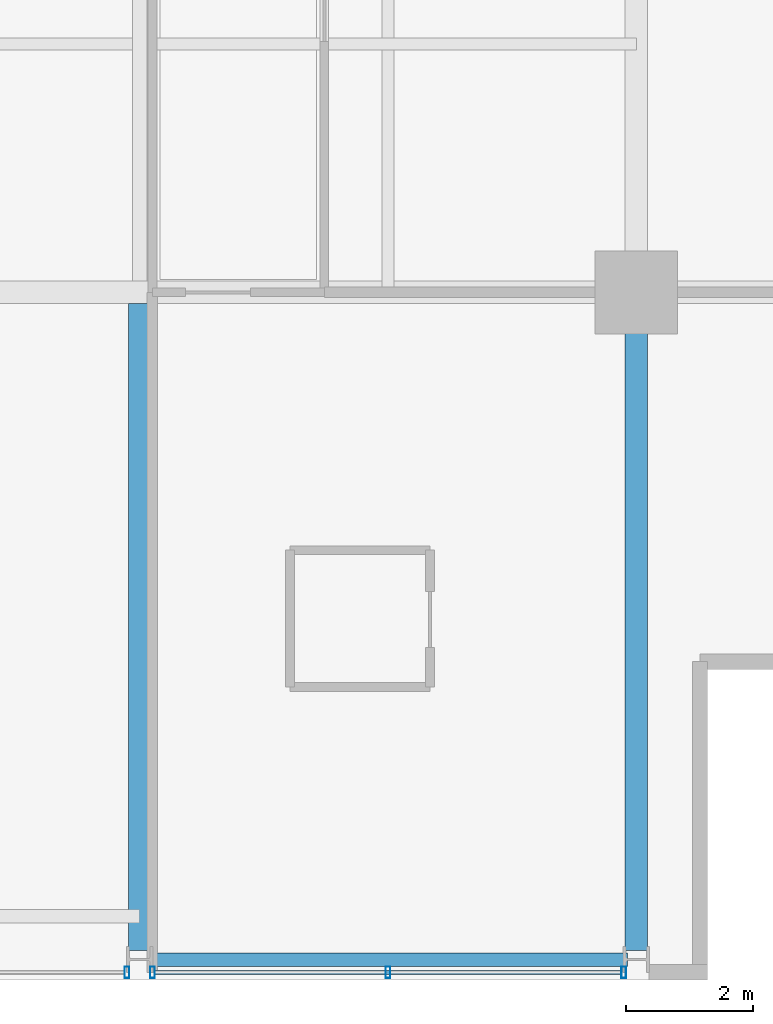
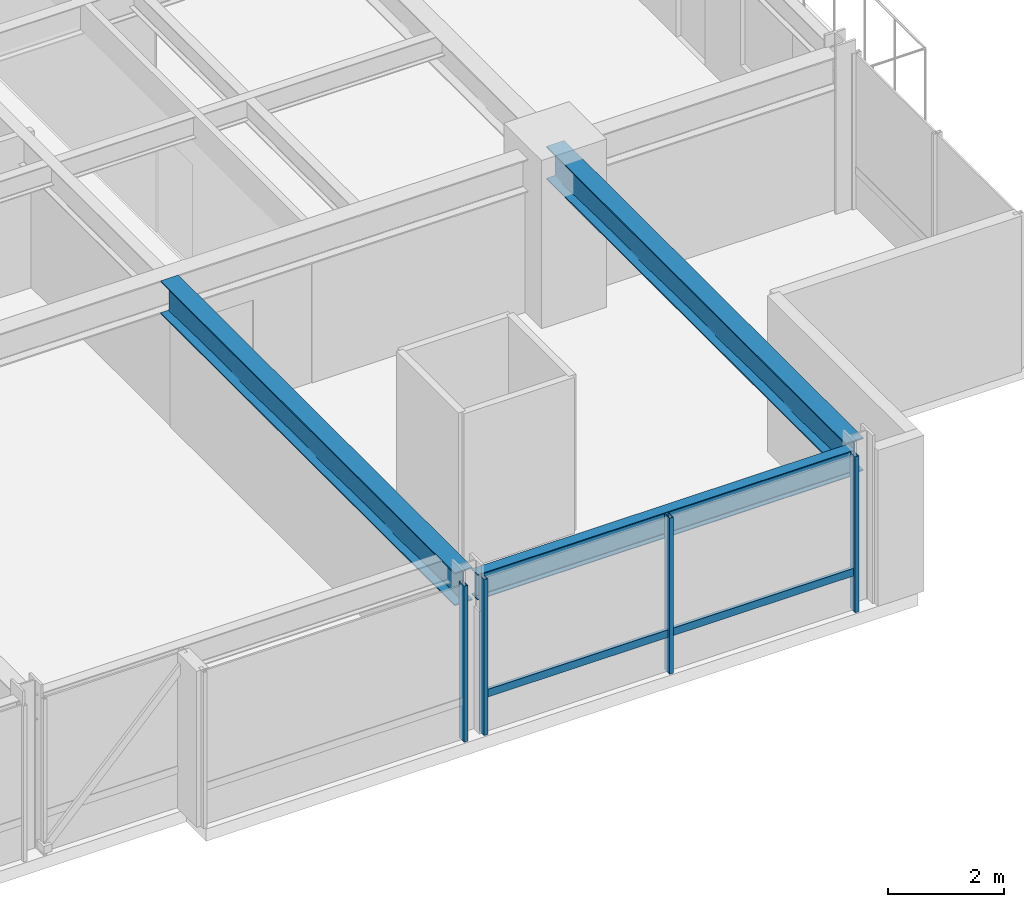
# One storey, part 11 of 33: 5 members, 3 beams, 2 elements without a shape of their own.
"""IFC4 building model written with IfcOpenShell, lengths in metres."""

from ifc_helpers import new_model, si_unit, direction, frame, origin, origin_2d, place, context, subcontext, project, spatial, hollow_rectangle, i_section, extrude, material, layer, layer_set, material_profile, profile_set, type_object, element, aggregate, save


model = new_model("IFC4")

# Units and contexts
model_context = context("Model", 3, precision=1e-05, world=origin(), true_north=direction((0.0, 1.0)))
body_context = subcontext(model_context, "Body", "Model", "MODEL_VIEW")
ifc_project = project(units=[si_unit("LENGTHUNIT", "METRE"), si_unit("AREAUNIT", "SQUARE_METRE"), si_unit("VOLUMEUNIT", "CUBIC_METRE"), si_unit("PLANEANGLEUNIT", "RADIAN"), si_unit("MASSUNIT", "GRAM", prefix="KILO")], contexts=[model_context])

# Site, building, storey
site_placement = place(None, origin())
site = spatial("IfcSite", under=ifc_project, at=site_placement, CompositionType="ELEMENT")
building_placement = place(site_placement, origin())
building = spatial("IfcBuilding", under=site, at=building_placement, Name="Drelvath Grand Hotel", CompositionType="ELEMENT")
storey_placement = place(building_placement, frame((0.0, 0.0, 168.14990234375)))
storey = spatial("IfcBuildingStorey", under=building, at=storey_placement, Name="L43", CompositionType="ELEMENT", Elevation=168.14990234375)

# Curtain wall, member
ifc_material_1 = material(Name="Brushed Pale-Silver Anodised Aluminium Frame", Category="aluminium")
ifc_layer = layer(ifc_material_1, 0.199951171875)
ifc_layer_set = layer_set([ifc_layer], Name="Brushed Pale-Silver Anodised Aluminium Frame")
curtain_wall_type = type_object("IfcCurtainWallType", Name="Stick Curtain Wall CW-04 Brushed Silver Upper-Mid", PredefinedType="NOTDEFINED", material=ifc_layer_set)
curtain_wall_1_placement = place(storey_placement, origin())
curtain_wall_1 = element("IfcCurtainWall", 1, at=curtain_wall_1_placement, inside=storey, type_object=curtain_wall_type, Name="L43 CW-04 Curtain Wall CW04-L43-SE2", PredefinedType="NOTDEFINED")
ifc_material_profile_1 = material_profile(ifc_material_1, hollow_rectangle(XDim=0.06494140625, YDim=0.159912109375, WallThickness=0.00390625, at=origin_2d()), Name="HSS160X65X4")
ifc_profile_set_1 = profile_set([ifc_material_profile_1], Name="Brushed Pale-Silver Anodised Aluminium Frame")
member_type_1 = type_object("IfcMemberType", Name="Curtain Wall Horizontal Transom CW-04 HSS160X65X4", PredefinedType="USERDEFINED", material=ifc_profile_set_1)
member_1_placement = place(storey_placement, frame((15.9599609375, 0.1201171875, 0.822509765625), z_axis=(-1.0, 0.0, 0.0), x_axis=(0.0, -1.0, 0.0)))
member_1 = element("IfcMember", 2, at=member_1_placement, type_object=member_type_1, Name="CW04-L43-SE2 Sill Transom", ObjectType="TRANSOM", PredefinedType="USERDEFINED", context=body_context, shape_type="SweptSolid", body=[
    extrude(hollow_rectangle(XDim=0.06494140625, YDim=0.159912109375, WallThickness=0.00390625, at=origin_2d()), origin(), (0.0, 0.0, 1.0), 7.31982421875),
])

curtain_wall_2_placement = place(storey_placement, origin())
curtain_wall_2 = element("IfcCurtainWall", 3, at=curtain_wall_2_placement, inside=storey, type_object=curtain_wall_type, Name="L43 CW-04 Curtain Wall CW04-L43-SE1", PredefinedType="NOTDEFINED")
ifc_material_profile_2 = material_profile(ifc_material_1, hollow_rectangle(XDim=0.074951171875, YDim=0.179931640625, WallThickness=0.0048828125, at=origin_2d()), Name="HSS180X75X5")
ifc_profile_set_2 = profile_set([ifc_material_profile_2], Name="Brushed Pale-Silver Anodised Aluminium Frame")
member_type_2 = type_object("IfcMemberType", Name="Curtain Wall Vertical Mullion CW-04 HSS180X75X5", PredefinedType="MULLION", material=ifc_profile_set_2)
member_2_placement = place(storey_placement, frame((8.199951171875, 0.1201171875, 0.0), z_axis=(0.0, 0.0, 1.0), x_axis=(1.0, 0.0, 0.0)))
member_2 = element("IfcMember", 4, at=member_2_placement, type_object=member_type_2, Name="CW04-L43-SE1 Mullion 1", PredefinedType="MULLION", context=body_context, shape_type="SweptSolid", body=[
    extrude(hollow_rectangle(XDim=0.074951171875, YDim=0.179931640625, WallThickness=0.0048828125, at=origin_2d()), origin(), (0.0, 0.0, 1.0), 3.2900390625),
])
aggregate(curtain_wall_2, [member_2])

# Member
member_3_placement = place(storey_placement, frame((16.0, 0.1201171875, 0.0), z_axis=(0.0, 0.0, 1.0), x_axis=(1.0, 0.0, 0.0)))
member_3 = element("IfcMember", 5, at=member_3_placement, type_object=member_type_2, Name="CW04-L43-SE2 Mullion 1", PredefinedType="MULLION", context=body_context, shape_type="SweptSolid", body=[
    extrude(hollow_rectangle(XDim=0.074951171875, YDim=0.179931640625, WallThickness=0.0048828125, at=origin_2d()), origin(), (0.0, 0.0, 1.0), 3.2900390625),
])

member_4_placement = place(storey_placement, frame((12.300048828125, 0.1201171875, 0.0), z_axis=(0.0, 0.0, 1.0), x_axis=(1.0, 0.0, 0.0)))
member_4 = element("IfcMember", 6, at=member_4_placement, type_object=member_type_2, Name="CW04-L43-SE2 Mullion 2", PredefinedType="MULLION", context=body_context, shape_type="SweptSolid", body=[
    extrude(hollow_rectangle(XDim=0.074951171875, YDim=0.179931640625, WallThickness=0.0048828125, at=origin_2d()), origin(), (0.0, 0.0, 1.0), 3.2900390625),
])

member_5_placement = place(storey_placement, frame((8.60009765625, 0.1201171875, 0.0), z_axis=(0.0, 0.0, 1.0), x_axis=(1.0, 0.0, 0.0)))
member_5 = element("IfcMember", 7, at=member_5_placement, type_object=member_type_2, Name="CW04-L43-SE2 Mullion 3", PredefinedType="MULLION", context=body_context, shape_type="SweptSolid", body=[
    extrude(hollow_rectangle(XDim=0.074951171875, YDim=0.179931640625, WallThickness=0.0048828125, at=origin_2d()), origin(), (0.0, 0.0, 1.0), 3.2900390625),
])

aggregate(curtain_wall_1, [member_3, member_4, member_5, member_1])

# Beams
ifc_material_2 = material(Name="Steel ASTM A992 Gr 50", Category="steel")
ifc_material_profile_3 = material_profile(ifc_material_2, i_section(OverallWidth=0.210205078125, OverallDepth=0.53662109375, WebThickness=0.010986328125, FlangeThickness=0.017333984375, FilletRadius=0.01806640625, at=origin_2d()), Name="W21X68")
ifc_profile_set_3 = profile_set([ifc_material_profile_3], Name="Steel ASTM A992 Gr 50")
beam_type_1 = type_object("IfcBeamType", Name="Perimeter Spandrel Beam W21X68", PredefinedType="SPANDREL", material=ifc_profile_set_3)
beam_1_placement = place(storey_placement, frame((8.5400390625, 0.320068359375, 3.021728515625), z_axis=(1.0, 0.0, 0.0), x_axis=(0.0, 1.0, 0.0)))
element("IfcBeam", 8, at=beam_1_placement, inside=storey, type_object=beam_type_1, Name="L43 Spandrel South E", PredefinedType="SPANDREL", context=body_context, shape_type="SweptSolid", body=[
    extrude(i_section(OverallWidth=0.210205078125, OverallDepth=0.53662109375, WebThickness=0.010986328125, FlangeThickness=0.017333984375, FilletRadius=0.01806640625, at=origin_2d()), origin(), (0.0, 0.0, 1.0), 7.52001953125),
])
ifc_material_profile_4 = material_profile(ifc_material_2, i_section(OverallWidth=0.354736328125, OverallDepth=0.695556640625, WebThickness=0.015380859375, FlangeThickness=0.025146484375, FilletRadius=0.02392578125, at=origin_2d()), Name="W27X146")
ifc_profile_set_4 = profile_set([ifc_material_profile_4], Name="Steel ASTM A992 Gr 50")
beam_type_2 = type_object("IfcBeamType", Name="Primary Floor Girder W27X146", PredefinedType="BEAM", material=ifc_profile_set_4)
beam_2_placement = place(storey_placement, frame((16.199951171875, 0.4599609375, 2.9423828125), z_axis=(0.0, 1.0, 0.0), x_axis=(-1.0, 0.0, 0.0)))
element("IfcBeam", 9, at=beam_2_placement, inside=storey, type_object=beam_type_2, Name="L43 South Grid Girder 7", PredefinedType="BEAM", context=body_context, shape_type="SweptSolid", body=[
    extrude(i_section(OverallWidth=0.354736328125, OverallDepth=0.695556640625, WebThickness=0.015380859375, FlangeThickness=0.025146484375, FilletRadius=0.02392578125, at=origin_2d()), origin(), (0.0, 0.0, 1.0), 10.340087890625),
])
beam_3_placement = place(storey_placement, frame((8.39990234375, 0.4599609375, 2.9423828125), z_axis=(0.0, 1.0, 0.0), x_axis=(-1.0, 0.0, 0.0)))
element("IfcBeam", 10, at=beam_3_placement, inside=storey, type_object=beam_type_2, Name="L43 South Wing Girder 6", PredefinedType="BEAM", context=body_context, shape_type="SweptSolid", body=[
    extrude(i_section(OverallWidth=0.354736328125, OverallDepth=0.695556640625, WebThickness=0.015380859375, FlangeThickness=0.025146484375, FilletRadius=0.02392578125, at=origin_2d()), origin(), (0.0, 0.0, 1.0), 10.16259765625),
])

save(model, "model.ifc")
